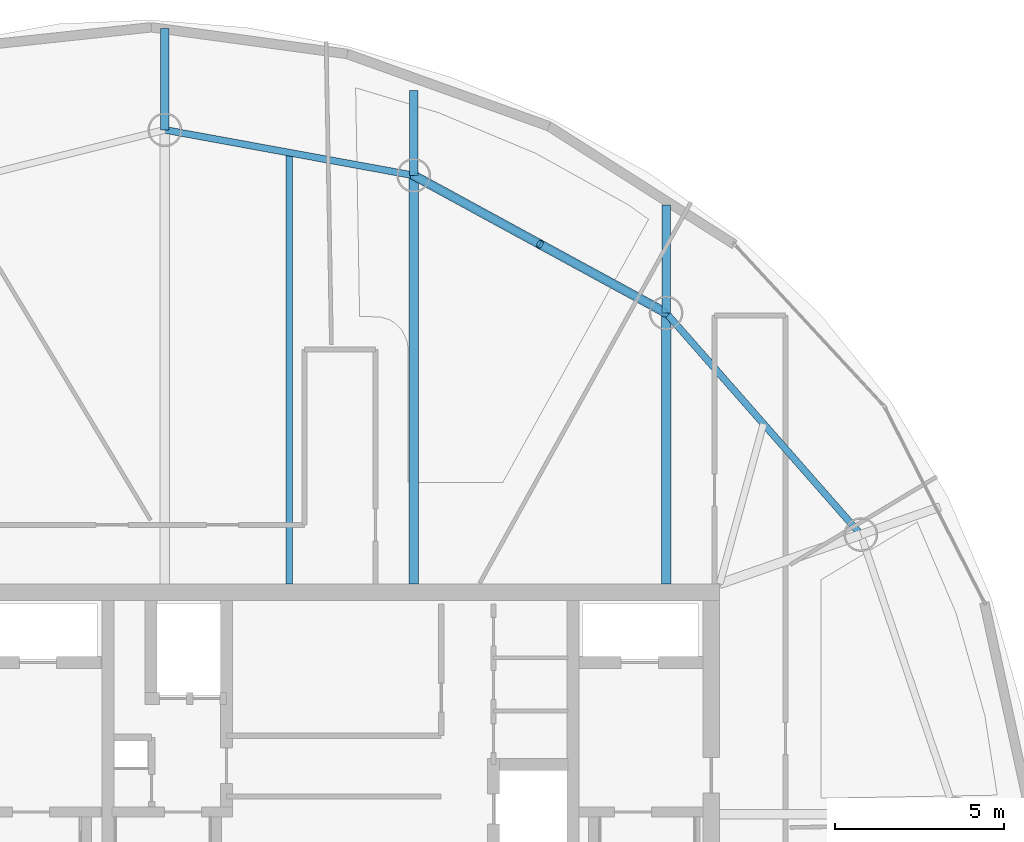
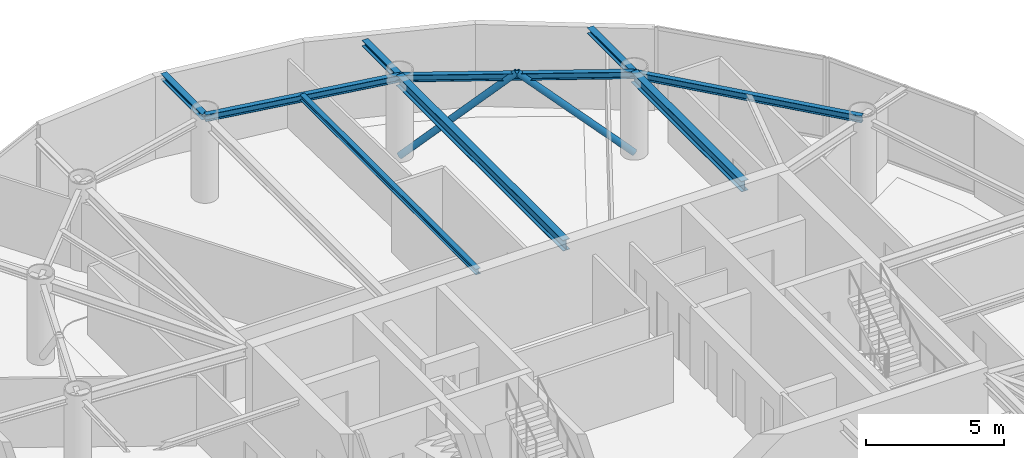
# One storey, part 14 of 22: 9 beams, 2 members.
"""IFC4 building model written with IfcOpenShell, lengths in metres."""

from ifc_helpers import new_model, si_unit, direction, frame, origin, origin_2d, place, context, subcontext, project, spatial, hollow_circle, i_section, extrude, material, material_profile, profile_set, type_object, element, save


model = new_model("IFC4")

# Units and contexts
model_context = context("Model", 3, precision=1e-05, world=origin(), true_north=direction((0.0, 1.0)))
body_context = subcontext(model_context, "Body", "Model", "MODEL_VIEW")
ifc_project = project(units=[si_unit("LENGTHUNIT", "METRE"), si_unit("AREAUNIT", "SQUARE_METRE"), si_unit("VOLUMEUNIT", "CUBIC_METRE"), si_unit("PLANEANGLEUNIT", "RADIAN"), si_unit("MASSUNIT", "GRAM", prefix="KILO")], contexts=[model_context])

# Site, building, storey
site_placement = place(None, origin())
site = spatial("IfcSite", under=ifc_project, at=site_placement, CompositionType="ELEMENT")
building_placement = place(site_placement, origin())
building = spatial("IfcBuilding", under=site, at=building_placement, Name="Bramvorn Convention Spire", CompositionType="ELEMENT")
storey_placement = place(building_placement, frame((0.0, 0.0, 253.60009765625)))
storey = spatial("IfcBuildingStorey", under=building, at=storey_placement, Name="L64", CompositionType="ELEMENT", Elevation=253.60009765625)

# Beams
ifc_material = material(Name="Steel CSA G40.21 Grade 350 (350W)", Category="steel")
ifc_material_profile_1 = material_profile(ifc_material, i_section(OverallWidth=0.201904296875, OverallDepth=0.2470703125, WebThickness=0.00732421875, FlangeThickness=0.010986328125, FilletRadius=0.011962890625, at=origin_2d()))
ifc_profile_set_1 = profile_set([ifc_material_profile_1], Name="Steel CSA G40.21 Grade 350 (350W) - W250X49")
beam_type_1 = type_object("IfcBeamType", Name="BM-W250X49", PredefinedType="JOIST", material=ifc_profile_set_1)
beam_1_placement = place(storey_placement, frame((36.498046875, 33.449951171875, 3.50146484375), z_axis=(0.0, 1.0, 0.0), x_axis=(-1.0, 0.0, 0.0)))
element("IfcBeam", 1, at=beam_1_placement, inside=storey, type_object=beam_type_1, Name="L64 composite floor joist 07", PredefinedType="JOIST", context=body_context, shape_type="SweptSolid", body=[
    extrude(i_section(OverallWidth=0.201904296875, OverallDepth=0.2470703125, WebThickness=0.00732421875, FlangeThickness=0.010986328125, FilletRadius=0.011962890625, at=origin_2d()), origin(), (0.0, 0.0, 1.0), 12.77587890625),
])
ifc_material_profile_2 = material_profile(ifc_material, i_section(OverallWidth=0.25390625, OverallDepth=0.2529296875, WebThickness=0.008544921875, FlangeThickness=0.01416015625, FilletRadius=0.011962890625, at=origin_2d()))
ifc_profile_set_2 = profile_set([ifc_material_profile_2], Name="Steel CSA G40.21 Grade 350 (350W) - W250X73")
beam_type_2 = type_object("IfcBeamType", Name="BM-W250X73", PredefinedType="BEAM", material=ifc_profile_set_2)
beam_2_placement = place(storey_placement, frame((47.662353515625, 41.476806640625, 3.498291015625), z_axis=(0.0, 1.0, 0.0), x_axis=(-1.0, 0.0, 0.0)))
element("IfcBeam", 2, at=beam_2_placement, inside=storey, type_object=beam_type_2, Name="L64 slab-edge cantilever tip beam MC06", PredefinedType="BEAM", context=body_context, shape_type="SweptSolid", body=[
    extrude(i_section(OverallWidth=0.25390625, OverallDepth=0.2529296875, WebThickness=0.008544921875, FlangeThickness=0.01416015625, FilletRadius=0.011962890625, at=origin_2d()), origin(), (0.0, 0.0, 1.0), 3.199951171875),
])
beam_3_placement = place(storey_placement, frame((40.1845703125, 45.55078125, 3.498291015625), z_axis=(0.0, 1.0, 0.0), x_axis=(-1.0, 0.0, 0.0)))
element("IfcBeam", 3, at=beam_3_placement, inside=storey, type_object=beam_type_2, Name="L64 slab-edge cantilever tip beam MC07", PredefinedType="BEAM", context=body_context, shape_type="SweptSolid", body=[
    extrude(i_section(OverallWidth=0.25390625, OverallDepth=0.2529296875, WebThickness=0.008544921875, FlangeThickness=0.01416015625, FilletRadius=0.011962890625, at=origin_2d()), origin(), (0.0, 0.0, 1.0), 2.51806640625),
])
beam_4_placement = place(storey_placement, frame((32.8115234375, 46.90087890625, 3.498291015625), z_axis=(0.0, 1.0, 0.0), x_axis=(-1.0, 0.0, 0.0)))
element("IfcBeam", 4, at=beam_4_placement, inside=storey, type_object=beam_type_2, Name="L64 slab-edge cantilever tip beam MC08", PredefinedType="BEAM", context=body_context, shape_type="SweptSolid", body=[
    extrude(i_section(OverallWidth=0.25390625, OverallDepth=0.2529296875, WebThickness=0.008544921875, FlangeThickness=0.01416015625, FilletRadius=0.011962890625, at=origin_2d()), origin(), (0.0, 0.0, 1.0), 2.99951171875),
])
ifc_material_profile_3 = material_profile(ifc_material, i_section(OverallWidth=0.202880859375, OverallDepth=0.302978515625, WebThickness=0.007568359375, FlangeThickness=0.01318359375, FilletRadius=0.013916015625, at=origin_2d()))
ifc_profile_set_3 = profile_set([ifc_material_profile_3], Name="Steel CSA G40.21 Grade 350 (350W) - W310X60")
beam_type_3 = type_object("IfcBeamType", Name="BM-W310X60", PredefinedType="JOIST", material=ifc_profile_set_3)
beam_5_placement = place(storey_placement, frame((53.4326171875, 34.909912109375, 3.473388671875), z_axis=(-0.660073062339, 0.751201405999, 0.0), x_axis=(-0.751201405999, -0.660073062339, 0.0)))
element("IfcBeam", 5, at=beam_5_placement, inside=storey, type_object=beam_type_3, Name="L64 mega-column ring beam 05", PredefinedType="JOIST", context=body_context, shape_type="SweptSolid", body=[
    extrude(i_section(OverallWidth=0.202880859375, OverallDepth=0.302978515625, WebThickness=0.007568359375, FlangeThickness=0.01318359375, FilletRadius=0.013916015625, at=origin_2d()), origin(), (0.0, 0.0, 1.0), 8.741943359375),
])
beam_6_placement = place(storey_placement, frame((47.662353515625, 41.476806640625, 3.473388671875), z_axis=(-0.878133224771, 0.478416178189, 0.0), x_axis=(-0.478416178189, -0.878133224771, 0.0)))
element("IfcBeam", 6, at=beam_6_placement, inside=storey, type_object=beam_type_3, Name="L64 mega-column ring beam 06", PredefinedType="JOIST", context=body_context, shape_type="SweptSolid", body=[
    extrude(i_section(OverallWidth=0.202880859375, OverallDepth=0.302978515625, WebThickness=0.007568359375, FlangeThickness=0.01318359375, FilletRadius=0.013916015625, at=origin_2d()), origin(), (0.0, 0.0, 1.0), 8.515625),
])
beam_7_placement = place(storey_placement, frame((40.1845703125, 45.55078125, 3.473388671875), z_axis=(-0.983645049461, 0.180117785547, 0.0), x_axis=(-0.180117785547, -0.983645049461, 0.0)))
element("IfcBeam", 7, at=beam_7_placement, inside=storey, type_object=beam_type_3, Name="L64 mega-column ring beam 07", PredefinedType="JOIST", context=body_context, shape_type="SweptSolid", body=[
    extrude(i_section(OverallWidth=0.202880859375, OverallDepth=0.302978515625, WebThickness=0.007568359375, FlangeThickness=0.01318359375, FilletRadius=0.013916015625, at=origin_2d()), origin(), (0.0, 0.0, 1.0), 7.49560546875),
])
ifc_material_profile_4 = material_profile(ifc_material, i_section(OverallWidth=0.283935546875, OverallDepth=0.47607421875, WebThickness=0.014892578125, FlangeThickness=0.02392578125, FilletRadius=0.01806640625, at=origin_2d()))
ifc_profile_set_4 = profile_set([ifc_material_profile_4], Name="Steel CSA G40.21 Grade 350 (350W) - W460X158")
beam_type_4 = type_object("IfcBeamType", Name="BM-W460X158", PredefinedType="SPANDREL", material=ifc_profile_set_4)
beam_8_placement = place(storey_placement, frame((47.662353515625, 33.449951171875, 3.386962890625), z_axis=(0.0, 1.0, 0.0), x_axis=(-1.0, 0.0, 0.0)))
element("IfcBeam", 8, at=beam_8_placement, inside=storey, type_object=beam_type_4, Name="L64 radial floor girder MC06", PredefinedType="SPANDREL", context=body_context, shape_type="SweptSolid", body=[
    extrude(i_section(OverallWidth=0.283935546875, OverallDepth=0.47607421875, WebThickness=0.014892578125, FlangeThickness=0.02392578125, FilletRadius=0.01806640625, at=origin_2d()), origin(), (0.0, 0.0, 1.0), 8.02685546875),
])
beam_9_placement = place(storey_placement, frame((40.1845703125, 33.449951171875, 3.386962890625), z_axis=(0.0, 1.0, 0.0), x_axis=(-1.0, 0.0, 0.0)))
element("IfcBeam", 9, at=beam_9_placement, inside=storey, type_object=beam_type_4, Name="L64 radial floor girder MC07", PredefinedType="SPANDREL", context=body_context, shape_type="SweptSolid", body=[
    extrude(i_section(OverallWidth=0.283935546875, OverallDepth=0.47607421875, WebThickness=0.014892578125, FlangeThickness=0.02392578125, FilletRadius=0.01806640625, at=origin_2d()), origin(), (0.0, 0.0, 1.0), 12.100830078125),
])

# Members
ifc_material_profile_5 = material_profile(ifc_material, hollow_circle(Radius=0.136474609375, WallThickness=0.0126953125, at=origin_2d()))
ifc_profile_set_5 = profile_set([ifc_material_profile_5], Name="Steel CSA G40.21 Grade 350 (350W) - CHS273X13")
member_type = type_object("IfcMemberType", Name="MBR-CHS273X13", PredefinedType="BRACE", material=ifc_profile_set_5)
member_1_placement = place(storey_placement, frame((47.662353515625, 41.476806640625, 0.0), z_axis=(-0.668634081548, 0.364288787231, 0.648245435379), x_axis=(-0.478426241072, -0.878127742332, 0.0)))
element("IfcMember", 10, at=member_1_placement, inside=storey, type_object=member_type, Name="L64 perimeter Gothic lancet brace 6A", PredefinedType="BRACE", context=body_context, shape_type="SweptSolid", body=[
    extrude(hollow_circle(Radius=0.136474609375, WallThickness=0.0126953125, at=origin_2d()), origin(), (0.0, 0.0, 1.0), 5.592041015625),
])
member_2_placement = place(storey_placement, frame((40.1845703125, 45.55078125, 0.0), z_axis=(0.668620574392, -0.364261554927, 0.64827466949), x_axis=(0.478406114461, 0.878138707521, 0.0)))
element("IfcMember", 11, at=member_2_placement, inside=storey, type_object=member_type, Name="L64 perimeter Gothic lancet brace 6B", PredefinedType="BRACE", context=body_context, shape_type="SweptSolid", body=[
    extrude(hollow_circle(Radius=0.136474609375, WallThickness=0.0126953125, at=origin_2d()), origin(), (0.0, 0.0, 1.0), 5.591796875),
])

save(model, "model.ifc")
